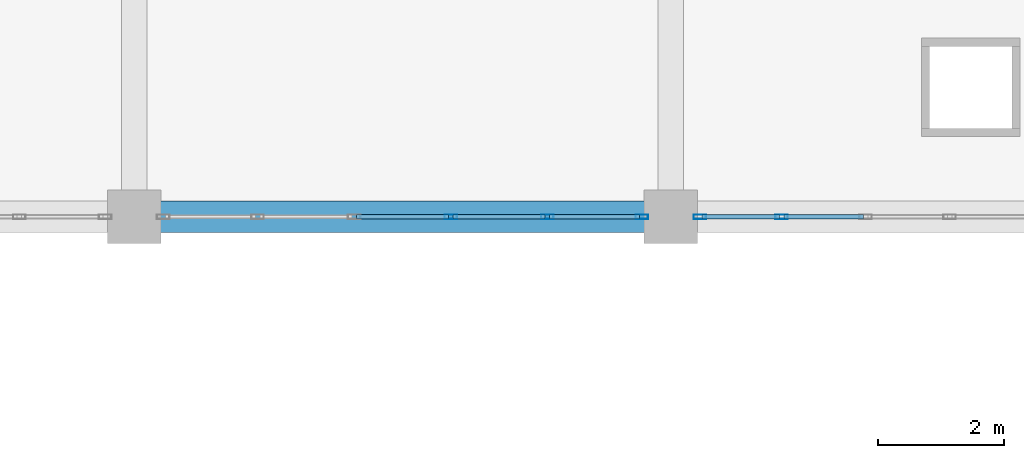
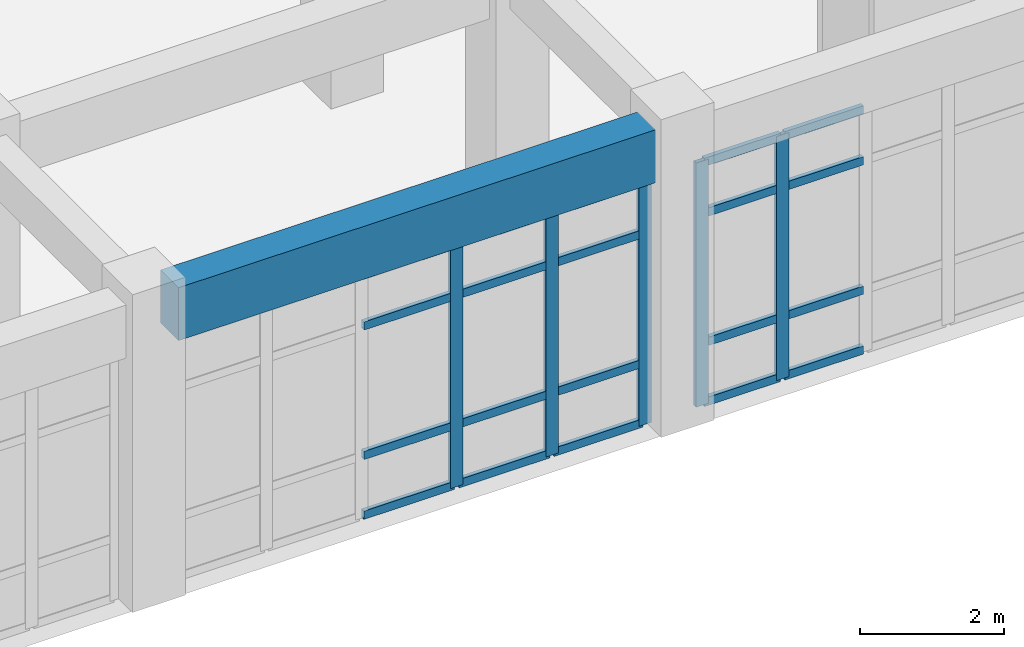
# One storey, part 44 of 84: 25 members, 1 beam, 2 elements without a shape of their own.
"""IFC4 building model written with IfcOpenShell, lengths in metres."""

import ifcopenshell
import ifcopenshell.guid

model = None  # the IFC model being written
_history = None  # IfcOwnerHistory: only IFC2X3 demands one
_inside = {}  # id of a spatial element -> (the spatial element, [elements in it])
_under = {}  # id of a project, library or spatial element -> (it, [spatial elements below it])
_declared = {}  # id of a project -> (the project, [libraries it declares])
_typed = {}  # id of a type object -> (the type object, [elements of that type])
_made_of = {}  # id of a material, layer set ... -> (it, [elements and type objects made of it])


def new_model(schema):
    """Start an empty IFC model of exactly this schema.

    Asked for "IFC4X3", IfcOpenShell would pick the latest addendum, in which some entities
    have other attributes; the version numbers below select the first issue.
    IFC2X3 requires an IfcOwnerHistory on every rooted entity: one is made here for all.
    """
    global model, _history
    if schema == "IFC4X3":
        model = ifcopenshell.file(schema_version=(4, 3, 0, 0))
    else:
        model = ifcopenshell.file(schema=schema)
    _inside.clear()
    _under.clear()
    _declared.clear()
    _typed.clear()
    _made_of.clear()
    _history = None
    if model.schema == "IFC2X3":
        org = make("IfcOrganization", Name="unknown")
        user = make(
            "IfcPersonAndOrganization",
            ThePerson=make("IfcPerson", FamilyName="unknown"),
            TheOrganization=org,
        )
        app = make(
            "IfcApplication",
            ApplicationDeveloper=org,
            Version="unknown",
            ApplicationFullName="unknown",
            ApplicationIdentifier="unknown",
        )
        _history = make(
            "IfcOwnerHistory",
            OwningUser=user,
            OwningApplication=app,
            ChangeAction="ADDED",
            CreationDate=0,
        )
    return model


def make(cls, **values):
    """One entity of the class cls with the attributes given. An attribute that is None is left unset."""
    return model.create_entity(
        cls, **{name: value for name, value in values.items() if value is not None}
    )


def rooted(cls, **values):
    """An entity with a GlobalId (a new one), such as an element, a storey or a relation."""
    return make(cls, GlobalId=ifcopenshell.guid.new(), OwnerHistory=_history, **values)


def si_unit(unit_type, name, prefix=None):
    """IfcSIUnit, for example si_unit("LENGTHUNIT", "METRE", prefix="MILLI")."""
    return make("IfcSIUnit", UnitType=unit_type, Prefix=prefix, Name=name)


def assignment(units):
    """IfcUnitAssignment: the units of a project."""
    return None if units is None else make("IfcUnitAssignment", Units=units)


def point(xyz):
    """IfcCartesianPoint."""
    return None if xyz is None else make("IfcCartesianPoint", Coordinates=xyz)


def direction(xyz):
    """IfcDirection."""
    return None if xyz is None else make("IfcDirection", DirectionRatios=xyz)


def frame(location, z_axis=None, x_axis=None):
    """IfcAxis2Placement3D, a coordinate frame: its origin and axes. An axis left out is left unset."""
    return make(
        "IfcAxis2Placement3D",
        Location=point(location),
        Axis=direction(z_axis),
        RefDirection=direction(x_axis),
    )


def frame_2d(location, x_axis=None):
    """IfcAxis2Placement2D, a coordinate frame in the plane: its origin and x axis."""
    return make(
        "IfcAxis2Placement2D", Location=point(location), RefDirection=direction(x_axis)
    )


def origin():
    """The frame at (0, 0, 0) with its axes left unset."""
    return frame((0.0, 0.0, 0.0))


def origin_2d():
    """The frame at (0, 0) in the plane with its x axis left unset."""
    return frame_2d((0.0, 0.0))


def place(relative_to, where):
    """IfcLocalPlacement: puts the frame where relative to a parent placement (None: the world)."""
    return make(
        "IfcLocalPlacement", PlacementRelTo=relative_to, RelativePlacement=where
    )


def context(
    kind, dimensions, precision=None, world=None, true_north=None, identifier=None
):
    """IfcGeometricRepresentationContext, for example the 3D "Model" context."""
    return make(
        "IfcGeometricRepresentationContext",
        ContextIdentifier=identifier,
        ContextType=kind,
        CoordinateSpaceDimension=dimensions,
        Precision=precision,
        WorldCoordinateSystem=world,
        TrueNorth=true_north,
    )


def subcontext(parent, identifier, kind, view, scale=None):
    """IfcGeometricRepresentationSubContext, for example "Body" below "Model"."""
    return make(
        "IfcGeometricRepresentationSubContext",
        ContextIdentifier=identifier,
        ContextType=kind,
        ParentContext=parent,
        TargetScale=scale,
        TargetView=view,
    )


def project(units=None, contexts=None):
    """IfcProject with its units and contexts."""
    return rooted(
        "IfcProject",
        Name="project",
        RepresentationContexts=contexts,
        UnitsInContext=assignment(units),
    )


def spatial(cls, under=None, at=None, **own):
    """A site, building, storey or space (cls), placed at a placement, below another one or the project."""
    s = rooted(cls, ObjectPlacement=at, **own)
    if under is not None:
        _under.setdefault(under.id(), (under, []))[1].append(s)
    return s


def profile(cls, at=None, kind="AREA", **sizes):
    """A parametric profile (cls). Its sizes go by their IFC names, for example OverallWidth=200.0."""
    return make(cls, ProfileType=kind, Position=at, **sizes)


def rectangle(**sizes):
    """IfcRectangleProfileDef."""
    return profile("IfcRectangleProfileDef", **sizes)


def hollow_rectangle(**sizes):
    """IfcRectangleHollowProfileDef."""
    return profile("IfcRectangleHollowProfileDef", **sizes)


def extrude(swept, where, along, depth):
    """IfcExtrudedAreaSolid: the profile swept, set in the frame where, extruded along a direction by depth."""
    return make(
        "IfcExtrudedAreaSolid",
        SweptArea=swept,
        Position=where,
        ExtrudedDirection=direction(along),
        Depth=depth,
    )


def shape(context_of_items, identifier, shape_type, items):
    """IfcShapeRepresentation: the items that make up one representation, for example the "Body"."""
    return make(
        "IfcShapeRepresentation",
        ContextOfItems=context_of_items,
        RepresentationIdentifier=identifier,
        RepresentationType=shape_type,
        Items=items,
    )


def material(Name=None, Category=None):
    """IfcMaterial."""
    return make("IfcMaterial", Name=Name, Category=Category)


def layer(
    of_material, thickness, ventilated=None, Name=None, Category=None, Priority=None
):
    """IfcMaterialLayer: one layer of a wall or slab, of a material (None: an air gap)."""
    return make(
        "IfcMaterialLayer",
        Material=of_material,
        LayerThickness=thickness,
        IsVentilated=ventilated,
        Name=Name,
        Category=Category,
        Priority=Priority,
    )


def layer_set(layers, Name=None):
    """IfcMaterialLayerSet."""
    return make("IfcMaterialLayerSet", MaterialLayers=layers, LayerSetName=Name)


def material_profile(
    of_material, cross_section, Name=None, Category=None, Priority=None
):
    """IfcMaterialProfile: a cross section and its material."""
    return make(
        "IfcMaterialProfile",
        Name=Name,
        Material=of_material,
        Profile=cross_section,
        Priority=Priority,
        Category=Category,
    )


def profile_set(profiles, Name=None, composite=None):
    """IfcMaterialProfileSet."""
    return make(
        "IfcMaterialProfileSet",
        Name=Name,
        MaterialProfiles=profiles,
        CompositeProfile=composite,
    )


def made_of(thing, what):
    """Note that an element or type object is made of a material, layer set ...; save() writes the relation."""
    if what is not None:
        _made_of.setdefault(what.id(), (what, []))[1].append(thing)
    return thing


def type_object(cls, material=None, **own):
    """A type object (cls), such as IfcWallType, which elements share."""
    return made_of(rooted(cls, **own), material)


def element(
    cls,
    number,
    at=None,
    inside=None,
    cuts=None,
    type_object=None,
    material=None,
    context=None,
    identifier="Body",
    shape_type=None,
    held_by="IfcProductDefinitionShape",
    body=None,
    shapes=None,
    **own,
):
    """One element of the class cls, such as IfcWall. Its Tag is "e" and its number.

    at: its placement. inside: the storey or other place that contains it. cuts: it is an
    opening in that element (IfcRelVoidsElement). A single representation is given by context,
    identifier, shape_type and body (its items); several are given by shapes. held_by: the class
    of the entity that holds the representations. save() writes the other relations.
    """
    e = rooted(cls, Tag="e%d" % number, ObjectPlacement=at, **own)
    if body is not None:
        shapes = [shape(context, identifier, shape_type, body)]
    if shapes is not None:
        e.Representation = make(held_by, Representations=shapes)
    if inside is not None:
        _inside.setdefault(inside.id(), (inside, []))[1].append(e)
    if cuts is not None:
        rooted(
            "IfcRelVoidsElement", RelatingBuildingElement=cuts, RelatedOpeningElement=e
        )
    if type_object is not None:
        _typed.setdefault(type_object.id(), (type_object, []))[1].append(e)
    return made_of(e, material)


def aggregate(whole, parts):
    """IfcRelAggregates: a whole, such as a stair, and the parts it consists of."""
    return rooted("IfcRelAggregates", RelatingObject=whole, RelatedObjects=parts)


def save(model, path):
    """Write the relations noted so far, then the file.

    IfcRelAggregates (storeys below a building ...), IfcRelContainedInSpatialStructure (elements
    in a storey), IfcRelDefinesByType, IfcRelAssociatesMaterial and IfcRelDeclares: one each for
    every whole, place, type object, material and project.
    """
    for whole, parts in _under.values():
        aggregate(whole, parts)
    for where, things in _inside.values():
        rooted(
            "IfcRelContainedInSpatialStructure",
            RelatedElements=things,
            RelatingStructure=where,
        )
    for kind, things in _typed.values():
        rooted("IfcRelDefinesByType", RelatedObjects=things, RelatingType=kind)
    for what, things in _made_of.values():
        rooted("IfcRelAssociatesMaterial", RelatedObjects=things, RelatingMaterial=what)
    for by, libraries in _declared.values():
        rooted("IfcRelDeclares", RelatingContext=by, RelatedDefinitions=libraries)
    model.write(path)


model = new_model("IFC4")

# Units and contexts
model_context = context("Model", 3, precision=1e-05, world=origin(), true_north=direction((0.0, 1.0)))
body_context = subcontext(model_context, "Body", "Model", "MODEL_VIEW")
ifc_project = project(units=[si_unit("LENGTHUNIT", "METRE"), si_unit("AREAUNIT", "SQUARE_METRE"), si_unit("VOLUMEUNIT", "CUBIC_METRE"), si_unit("PLANEANGLEUNIT", "RADIAN"), si_unit("MASSUNIT", "GRAM", prefix="KILO")], contexts=[model_context])

# Site, building, storey
site_placement = place(None, origin())
site = spatial("IfcSite", under=ifc_project, at=site_placement, CompositionType="ELEMENT")
building_placement = place(site_placement, origin())
building = spatial("IfcBuilding", under=site, at=building_placement, Name="Muzn Square Opera House", CompositionType="ELEMENT")
storey_placement = place(building_placement, origin())
storey = spatial("IfcBuildingStorey", under=building, at=storey_placement, Name="L00", CompositionType="ELEMENT", Elevation=0.0)

# Curtain wall, members
ifc_material_1 = material(Name="Low-E laminated acoustic double glazing", Category="glass")
ifc_layer_1 = layer(ifc_material_1, 0.159912109375, Name="Low-E laminated acoustic double glazing", Category="glass")
ifc_layer_set_1 = layer_set([ifc_layer_1], Name="Low-E laminated acoustic double glazing")
curtain_wall_type_1 = type_object("IfcCurtainWallType", Name="Glazed Curtain Wall EastCloisterN 7650x4150", PredefinedType="USERDEFINED", material=ifc_layer_set_1)
curtain_wall_1_placement = place(storey_placement, origin())
curtain_wall_1 = element("IfcCurtainWall", 1, at=curtain_wall_1_placement, inside=storey, type_object=curtain_wall_type_1, Name="Glazed Curtain Wall CW-L00-078", ObjectType="GLAZED CURTAIN WALL", PredefinedType="USERDEFINED")
ifc_material_2 = material(Name="Anodised bronze aluminium 6063-T6", Category="metal")
ifc_material_profile_1 = material_profile(ifc_material_2, hollow_rectangle(XDim=0.070068359375, YDim=0.199951171875, WallThickness=0.0048828125, at=origin_2d()), Name="ALU 200x70x5", Category="metal")
ifc_profile_set_1 = profile_set([ifc_material_profile_1], Name="Anodised bronze aluminium 6063-T6")
member_type_1 = type_object("IfcMemberType", Name="Curtain Wall Mullion 200x70", PredefinedType="MULLION", material=ifc_profile_set_1)
member_1_placement = place(storey_placement, frame((146.014892578125, 54.199951171875, 0.0), z_axis=(0.0, 0.0, 1.0), x_axis=(0.0, 1.0, 0.0)))
member_1 = element("IfcMember", 2, at=member_1_placement, type_object=member_type_1, Name="CW-ECN-76x41 mullion 4", PredefinedType="MULLION", context=body_context, shape_type="SweptSolid", body=[
    extrude(hollow_rectangle(XDim=0.070068359375, YDim=0.199951171875, WallThickness=0.0048828125, at=origin_2d()), origin(), (0.0, 0.0, 1.0), 4.14990234375),
])
member_2_placement = place(storey_placement, frame((147.544921875, 54.199951171875, 0.0), z_axis=(0.0, 0.0, 1.0), x_axis=(0.0, 1.0, 0.0)))
member_2 = element("IfcMember", 3, at=member_2_placement, type_object=member_type_1, Name="CW-ECN-76x41 mullion 5", PredefinedType="MULLION", context=body_context, shape_type="SweptSolid", body=[
    extrude(hollow_rectangle(XDim=0.070068359375, YDim=0.199951171875, WallThickness=0.0048828125, at=origin_2d()), origin(), (0.0, 0.0, 1.0), 4.14990234375),
])
member_3_placement = place(storey_placement, frame((149.0400390625, 54.199951171875, 0.0), z_axis=(0.0, 0.0, 1.0), x_axis=(0.0, 1.0, 0.0)))
member_3 = element("IfcMember", 4, at=member_3_placement, type_object=member_type_1, Name="CW-ECN-76x41 mullion 6", PredefinedType="MULLION", context=body_context, shape_type="SweptSolid", body=[
    extrude(hollow_rectangle(XDim=0.070068359375, YDim=0.199951171875, WallThickness=0.0048828125, at=origin_2d()), origin(), (0.0, 0.0, 1.0), 4.14990234375),
])

ifc_layer_2 = layer(ifc_material_1, 0.159912109375, Name="Low-E laminated acoustic double glazing", Category="glass")
ifc_layer_set_2 = layer_set([ifc_layer_2], Name="Low-E laminated acoustic double glazing")
curtain_wall_type_2 = type_object("IfcCurtainWallType", Name="Glazed Curtain Wall EastCloisterN 6650x4150", PredefinedType="USERDEFINED", material=ifc_layer_set_2)
curtain_wall_2_placement = place(storey_placement, origin())
curtain_wall_2 = element("IfcCurtainWall", 5, at=curtain_wall_2_placement, inside=storey, type_object=curtain_wall_type_2, Name="Glazed Curtain Wall CW-L00-080", ObjectType="GLAZED CURTAIN WALL", PredefinedType="USERDEFINED")
member_4_placement = place(storey_placement, frame((149.9599609375, 54.199951171875, 0.0), z_axis=(0.0, 0.0, 1.0), x_axis=(0.0, 1.0, 0.0)))
member_4 = element("IfcMember", 6, at=member_4_placement, type_object=member_type_1, Name="CW-ECN-66x41 mullion 1", PredefinedType="MULLION", context=body_context, shape_type="SweptSolid", body=[
    extrude(hollow_rectangle(XDim=0.070068359375, YDim=0.199951171875, WallThickness=0.0048828125, at=origin_2d()), origin(), (0.0, 0.0, 1.0), 4.14990234375),
])
member_5_placement = place(storey_placement, frame((151.2548828125, 54.199951171875, 0.0), z_axis=(0.0, 0.0, 1.0), x_axis=(0.0, 1.0, 0.0)))
member_5 = element("IfcMember", 7, at=member_5_placement, type_object=member_type_1, Name="CW-ECN-66x41 mullion 2", PredefinedType="MULLION", context=body_context, shape_type="SweptSolid", body=[
    extrude(hollow_rectangle(XDim=0.070068359375, YDim=0.199951171875, WallThickness=0.0048828125, at=origin_2d()), origin(), (0.0, 0.0, 1.0), 4.14990234375),
])

# Member
ifc_material_profile_2 = material_profile(ifc_material_2, hollow_rectangle(XDim=0.070068359375, YDim=0.139892578125, WallThickness=0.00390625, at=origin_2d()), Name="ALU 140x70x4", Category="metal")
ifc_profile_set_2 = profile_set([ifc_material_profile_2], Name="Anodised bronze aluminium 6063-T6")
member_type_2 = type_object("IfcMemberType", Name="Curtain Wall Transom 140x70", PredefinedType="USERDEFINED", material=ifc_profile_set_2)
member_6_placement = place(storey_placement, frame((144.52001953125, 54.199951171875, 0.034912109375), z_axis=(1.0, 0.0, 0.0), x_axis=(0.0, 1.0, 0.0)))
member_6 = element("IfcMember", 8, at=member_6_placement, type_object=member_type_2, Name="CW-ECN-76x41 transom 3.1", ObjectType="TRANSOM", PredefinedType="USERDEFINED", context=body_context, shape_type="SweptSolid", body=[
    extrude(hollow_rectangle(XDim=0.070068359375, YDim=0.139892578125, WallThickness=0.00390625, at=origin_2d()), origin(), (0.0, 0.0, 1.0), 1.4599609375),
])

member_7_placement = place(storey_placement, frame((144.52001953125, 54.199951171875, 1.050048828125), z_axis=(1.0, 0.0, 0.0), x_axis=(0.0, 1.0, 0.0)))
member_7 = element("IfcMember", 9, at=member_7_placement, type_object=member_type_2, Name="CW-ECN-76x41 transom 3.2", ObjectType="TRANSOM", PredefinedType="USERDEFINED", context=body_context, shape_type="SweptSolid", body=[
    extrude(hollow_rectangle(XDim=0.070068359375, YDim=0.139892578125, WallThickness=0.00390625, at=origin_2d()), origin(), (0.0, 0.0, 1.0), 1.4599609375),
])

member_8_placement = place(storey_placement, frame((144.52001953125, 54.199951171875, 3.25), z_axis=(1.0, 0.0, 0.0), x_axis=(0.0, 1.0, 0.0)))
member_8 = element("IfcMember", 10, at=member_8_placement, type_object=member_type_2, Name="CW-ECN-76x41 transom 3.3", ObjectType="TRANSOM", PredefinedType="USERDEFINED", context=body_context, shape_type="SweptSolid", body=[
    extrude(hollow_rectangle(XDim=0.070068359375, YDim=0.139892578125, WallThickness=0.00390625, at=origin_2d()), origin(), (0.0, 0.0, 1.0), 1.4599609375),
])

member_9_placement = place(storey_placement, frame((144.52001953125, 54.199951171875, 4.114990234375), z_axis=(1.0, 0.0, 0.0), x_axis=(0.0, 1.0, 0.0)))
member_9 = element("IfcMember", 11, at=member_9_placement, type_object=member_type_2, Name="CW-ECN-76x41 transom 3.4", ObjectType="TRANSOM", PredefinedType="USERDEFINED", context=body_context, shape_type="SweptSolid", body=[
    extrude(hollow_rectangle(XDim=0.070068359375, YDim=0.139892578125, WallThickness=0.00390625, at=origin_2d()), origin(), (0.0, 0.0, 1.0), 1.4599609375),
])

member_10_placement = place(storey_placement, frame((146.050048828125, 54.199951171875, 0.034912109375), z_axis=(1.0, 0.0, 0.0), x_axis=(0.0, 1.0, 0.0)))
member_10 = element("IfcMember", 12, at=member_10_placement, type_object=member_type_2, Name="CW-ECN-76x41 transom 4.1", ObjectType="TRANSOM", PredefinedType="USERDEFINED", context=body_context, shape_type="SweptSolid", body=[
    extrude(hollow_rectangle(XDim=0.070068359375, YDim=0.139892578125, WallThickness=0.00390625, at=origin_2d()), origin(), (0.0, 0.0, 1.0), 1.4599609375),
])

member_11_placement = place(storey_placement, frame((146.050048828125, 54.199951171875, 1.050048828125), z_axis=(1.0, 0.0, 0.0), x_axis=(0.0, 1.0, 0.0)))
member_11 = element("IfcMember", 13, at=member_11_placement, type_object=member_type_2, Name="CW-ECN-76x41 transom 4.2", ObjectType="TRANSOM", PredefinedType="USERDEFINED", context=body_context, shape_type="SweptSolid", body=[
    extrude(hollow_rectangle(XDim=0.070068359375, YDim=0.139892578125, WallThickness=0.00390625, at=origin_2d()), origin(), (0.0, 0.0, 1.0), 1.4599609375),
])

member_12_placement = place(storey_placement, frame((146.050048828125, 54.199951171875, 3.25), z_axis=(1.0, 0.0, 0.0), x_axis=(0.0, 1.0, 0.0)))
member_12 = element("IfcMember", 14, at=member_12_placement, type_object=member_type_2, Name="CW-ECN-76x41 transom 4.3", ObjectType="TRANSOM", PredefinedType="USERDEFINED", context=body_context, shape_type="SweptSolid", body=[
    extrude(hollow_rectangle(XDim=0.070068359375, YDim=0.139892578125, WallThickness=0.00390625, at=origin_2d()), origin(), (0.0, 0.0, 1.0), 1.4599609375),
])

member_13_placement = place(storey_placement, frame((146.050048828125, 54.199951171875, 4.114990234375), z_axis=(1.0, 0.0, 0.0), x_axis=(0.0, 1.0, 0.0)))
member_13 = element("IfcMember", 15, at=member_13_placement, type_object=member_type_2, Name="CW-ECN-76x41 transom 4.4", ObjectType="TRANSOM", PredefinedType="USERDEFINED", context=body_context, shape_type="SweptSolid", body=[
    extrude(hollow_rectangle(XDim=0.070068359375, YDim=0.139892578125, WallThickness=0.00390625, at=origin_2d()), origin(), (0.0, 0.0, 1.0), 1.4599609375),
])

member_14_placement = place(storey_placement, frame((147.580078125, 54.199951171875, 0.034912109375), z_axis=(1.0, 0.0, 0.0), x_axis=(0.0, 1.0, 0.0)))
member_14 = element("IfcMember", 16, at=member_14_placement, type_object=member_type_2, Name="CW-ECN-76x41 transom 5.1", ObjectType="TRANSOM", PredefinedType="USERDEFINED", context=body_context, shape_type="SweptSolid", body=[
    extrude(hollow_rectangle(XDim=0.070068359375, YDim=0.139892578125, WallThickness=0.00390625, at=origin_2d()), origin(), (0.0, 0.0, 1.0), 1.4248046875),
])

member_15_placement = place(storey_placement, frame((147.580078125, 54.199951171875, 1.050048828125), z_axis=(1.0, 0.0, 0.0), x_axis=(0.0, 1.0, 0.0)))
member_15 = element("IfcMember", 17, at=member_15_placement, type_object=member_type_2, Name="CW-ECN-76x41 transom 5.2", ObjectType="TRANSOM", PredefinedType="USERDEFINED", context=body_context, shape_type="SweptSolid", body=[
    extrude(hollow_rectangle(XDim=0.070068359375, YDim=0.139892578125, WallThickness=0.00390625, at=origin_2d()), origin(), (0.0, 0.0, 1.0), 1.4248046875),
])

member_16_placement = place(storey_placement, frame((147.580078125, 54.199951171875, 3.25), z_axis=(1.0, 0.0, 0.0), x_axis=(0.0, 1.0, 0.0)))
member_16 = element("IfcMember", 18, at=member_16_placement, type_object=member_type_2, Name="CW-ECN-76x41 transom 5.3", ObjectType="TRANSOM", PredefinedType="USERDEFINED", context=body_context, shape_type="SweptSolid", body=[
    extrude(hollow_rectangle(XDim=0.070068359375, YDim=0.139892578125, WallThickness=0.00390625, at=origin_2d()), origin(), (0.0, 0.0, 1.0), 1.4248046875),
])

member_17_placement = place(storey_placement, frame((147.580078125, 54.199951171875, 4.114990234375), z_axis=(1.0, 0.0, 0.0), x_axis=(0.0, 1.0, 0.0)))
member_17 = element("IfcMember", 19, at=member_17_placement, type_object=member_type_2, Name="CW-ECN-76x41 transom 5.4", ObjectType="TRANSOM", PredefinedType="USERDEFINED", context=body_context, shape_type="SweptSolid", body=[
    extrude(hollow_rectangle(XDim=0.070068359375, YDim=0.139892578125, WallThickness=0.00390625, at=origin_2d()), origin(), (0.0, 0.0, 1.0), 1.4248046875),
])

aggregate(curtain_wall_1, [member_1, member_2, member_3, member_6, member_7, member_8, member_9, member_10, member_11, member_12, member_13, member_14, member_15, member_16, member_17])

member_18_placement = place(storey_placement, frame((149.9951171875, 54.199951171875, 0.034912109375), z_axis=(1.0, 0.0, 0.0), x_axis=(0.0, 1.0, 0.0)))
member_18 = element("IfcMember", 20, at=member_18_placement, type_object=member_type_2, Name="CW-ECN-66x41 transom 1.1", ObjectType="TRANSOM", PredefinedType="USERDEFINED", context=body_context, shape_type="SweptSolid", body=[
    extrude(hollow_rectangle(XDim=0.070068359375, YDim=0.139892578125, WallThickness=0.00390625, at=origin_2d()), origin(), (0.0, 0.0, 1.0), 1.224853515625),
])

member_19_placement = place(storey_placement, frame((149.9951171875, 54.199951171875, 1.050048828125), z_axis=(1.0, 0.0, 0.0), x_axis=(0.0, 1.0, 0.0)))
member_19 = element("IfcMember", 21, at=member_19_placement, type_object=member_type_2, Name="CW-ECN-66x41 transom 1.2", ObjectType="TRANSOM", PredefinedType="USERDEFINED", context=body_context, shape_type="SweptSolid", body=[
    extrude(hollow_rectangle(XDim=0.070068359375, YDim=0.139892578125, WallThickness=0.00390625, at=origin_2d()), origin(), (0.0, 0.0, 1.0), 1.224853515625),
])

member_20_placement = place(storey_placement, frame((149.9951171875, 54.199951171875, 3.25), z_axis=(1.0, 0.0, 0.0), x_axis=(0.0, 1.0, 0.0)))
member_20 = element("IfcMember", 22, at=member_20_placement, type_object=member_type_2, Name="CW-ECN-66x41 transom 1.3", ObjectType="TRANSOM", PredefinedType="USERDEFINED", context=body_context, shape_type="SweptSolid", body=[
    extrude(hollow_rectangle(XDim=0.070068359375, YDim=0.139892578125, WallThickness=0.00390625, at=origin_2d()), origin(), (0.0, 0.0, 1.0), 1.224853515625),
])

member_21_placement = place(storey_placement, frame((149.9951171875, 54.199951171875, 4.114990234375), z_axis=(1.0, 0.0, 0.0), x_axis=(0.0, 1.0, 0.0)))
member_21 = element("IfcMember", 23, at=member_21_placement, type_object=member_type_2, Name="CW-ECN-66x41 transom 1.4", ObjectType="TRANSOM", PredefinedType="USERDEFINED", context=body_context, shape_type="SweptSolid", body=[
    extrude(hollow_rectangle(XDim=0.070068359375, YDim=0.139892578125, WallThickness=0.00390625, at=origin_2d()), origin(), (0.0, 0.0, 1.0), 1.224853515625),
])

member_22_placement = place(storey_placement, frame((151.2900390625, 54.199951171875, 0.034912109375), z_axis=(1.0, 0.0, 0.0), x_axis=(0.0, 1.0, 0.0)))
member_22 = element("IfcMember", 24, at=member_22_placement, type_object=member_type_2, Name="CW-ECN-66x41 transom 2.1", ObjectType="TRANSOM", PredefinedType="USERDEFINED", context=body_context, shape_type="SweptSolid", body=[
    extrude(hollow_rectangle(XDim=0.070068359375, YDim=0.139892578125, WallThickness=0.00390625, at=origin_2d()), origin(), (0.0, 0.0, 1.0), 1.260009765625),
])

member_23_placement = place(storey_placement, frame((151.2900390625, 54.199951171875, 1.050048828125), z_axis=(1.0, 0.0, 0.0), x_axis=(0.0, 1.0, 0.0)))
member_23 = element("IfcMember", 25, at=member_23_placement, type_object=member_type_2, Name="CW-ECN-66x41 transom 2.2", ObjectType="TRANSOM", PredefinedType="USERDEFINED", context=body_context, shape_type="SweptSolid", body=[
    extrude(hollow_rectangle(XDim=0.070068359375, YDim=0.139892578125, WallThickness=0.00390625, at=origin_2d()), origin(), (0.0, 0.0, 1.0), 1.260009765625),
])

member_24_placement = place(storey_placement, frame((151.2900390625, 54.199951171875, 3.25), z_axis=(1.0, 0.0, 0.0), x_axis=(0.0, 1.0, 0.0)))
member_24 = element("IfcMember", 26, at=member_24_placement, type_object=member_type_2, Name="CW-ECN-66x41 transom 2.3", ObjectType="TRANSOM", PredefinedType="USERDEFINED", context=body_context, shape_type="SweptSolid", body=[
    extrude(hollow_rectangle(XDim=0.070068359375, YDim=0.139892578125, WallThickness=0.00390625, at=origin_2d()), origin(), (0.0, 0.0, 1.0), 1.260009765625),
])

member_25_placement = place(storey_placement, frame((151.2900390625, 54.199951171875, 4.114990234375), z_axis=(1.0, 0.0, 0.0), x_axis=(0.0, 1.0, 0.0)))
member_25 = element("IfcMember", 27, at=member_25_placement, type_object=member_type_2, Name="CW-ECN-66x41 transom 2.4", ObjectType="TRANSOM", PredefinedType="USERDEFINED", context=body_context, shape_type="SweptSolid", body=[
    extrude(hollow_rectangle(XDim=0.070068359375, YDim=0.139892578125, WallThickness=0.00390625, at=origin_2d()), origin(), (0.0, 0.0, 1.0), 1.260009765625),
])

aggregate(curtain_wall_2, [member_4, member_5, member_18, member_19, member_20, member_21, member_22, member_23, member_24, member_25])

# Beam
ifc_material_3 = material(Name="Concrete C40/50", Category="concrete")
ifc_material_profile_3 = material_profile(ifc_material_3, rectangle(XDim=0.5, YDim=0.89990234375, at=origin_2d()), Name="RCB 500x900", Category="concrete")
ifc_profile_set_3 = profile_set([ifc_material_profile_3], Name="Concrete C40/50")
beam_type = type_object("IfcBeamType", Name="Primary Girder 500x900", PredefinedType="BEAM", material=ifc_profile_set_3)
beam_placement = place(storey_placement, frame((141.4169921875, 54.199951171875, 4.669921875), z_axis=(1.0, 0.0, 0.0), x_axis=(0.0, 1.0, 0.0)))
element("IfcBeam", 28, at=beam_placement, inside=storey, type_object=beam_type, Name="Primary Girder BM-L00-BM-PG900-1414_542_1491_542-847", PredefinedType="BEAM", context=body_context, shape_type="SweptSolid", body=[
    extrude(rectangle(XDim=0.5, YDim=0.89990234375, at=origin_2d()), origin(), (0.0, 0.0, 1.0), 7.666015625),
])

save(model, "model.ifc")
